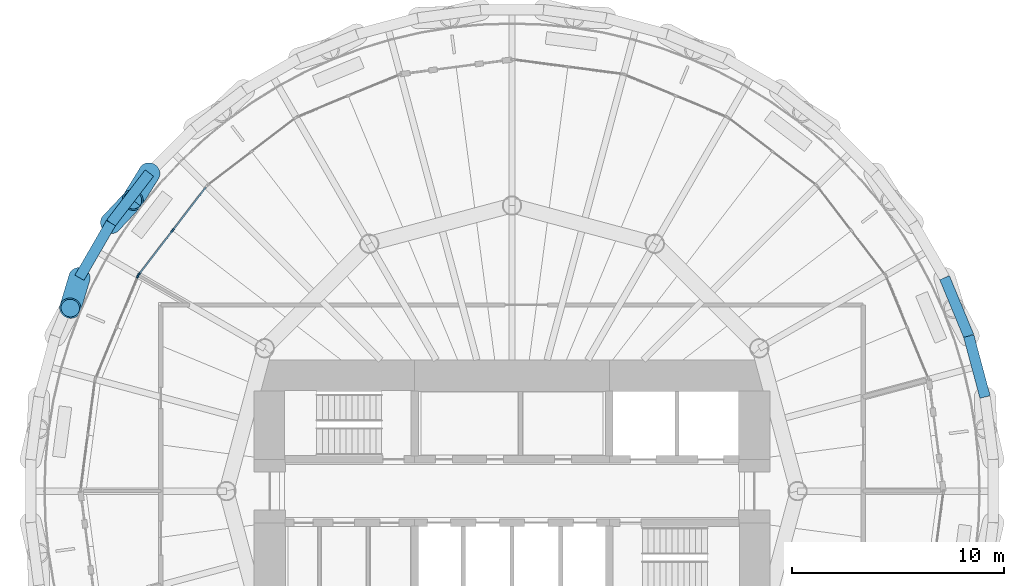
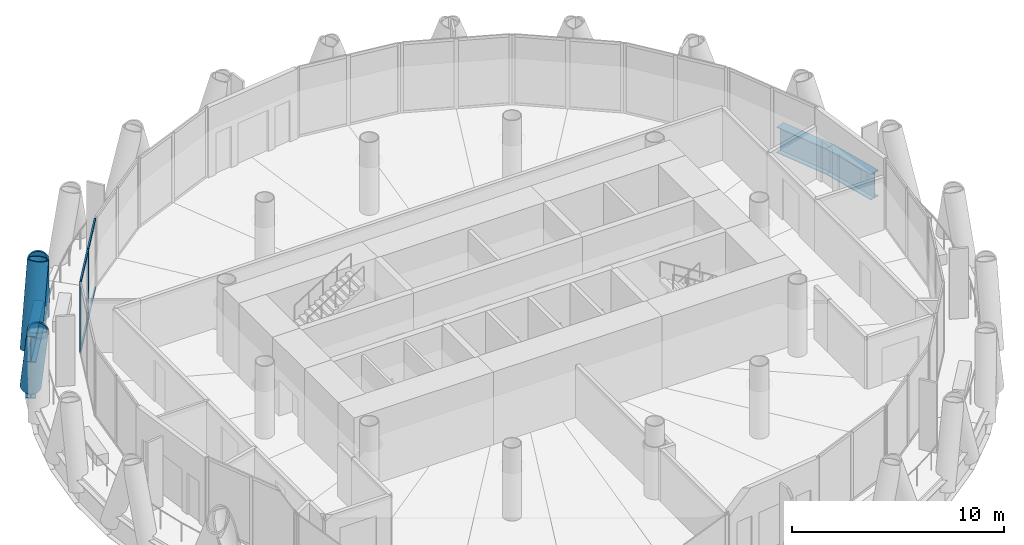
# One storey, part 5 of 14: 10 members, 4 beams, 2 elements without a shape of their own.
"""IFC4 building model written with IfcOpenShell, lengths in metres."""

from ifc_helpers import new_model, si_unit, direction, frame, origin, origin_2d, place, context, subcontext, project, spatial, rectangle, hollow_circle, i_section, extrude, material, material_profile, profile_set, type_object, element, aggregate, save


model = new_model("IFC4")

# Units and contexts
model_context = context("Model", 3, precision=1e-05, world=origin(), true_north=direction((0.0, 1.0)))
body_context = subcontext(model_context, "Body", "Model", "MODEL_VIEW")
ifc_project = project(units=[si_unit("LENGTHUNIT", "METRE"), si_unit("AREAUNIT", "SQUARE_METRE"), si_unit("VOLUMEUNIT", "CUBIC_METRE"), si_unit("PLANEANGLEUNIT", "RADIAN"), si_unit("MASSUNIT", "GRAM", prefix="KILO")], contexts=[model_context])

# Site, building, storey
site_placement = place(None, origin())
site = spatial("IfcSite", under=ifc_project, at=site_placement, CompositionType="ELEMENT")
building_placement = place(site_placement, origin())
building = spatial("IfcBuilding", under=site, at=building_placement, Name="Qaws Media Tower", CompositionType="ELEMENT")
storey_placement = place(building_placement, frame((0.0, 0.0, 215.0)))
storey = spatial("IfcBuildingStorey", under=building, at=storey_placement, Name="L49", CompositionType="ELEMENT", Elevation=215.0)

# Curtain wall, members
ifc_material_1 = material(Name="Aluminium and clear glass", Category="aluminium")
curtain_wall_type = type_object("IfcCurtainWallType", Name="Unitised curtain wall CW-C", PredefinedType="NOTDEFINED", material=ifc_material_1)
curtain_wall_1_placement = place(storey_placement, origin())
curtain_wall_1 = element("IfcCurtainWall", 1, at=curtain_wall_1_placement, inside=storey, type_object=curtain_wall_type, Name="CWC curtain wall L49-10", PredefinedType="NOTDEFINED")
ifc_material_2 = material(Name="Aluminium mullion", Category="aluminium")
ifc_material_profile_1 = material_profile(ifc_material_2, rectangle(XDim=0.080078125, YDim=0.199951171875, at=origin_2d()), Name="80x200")
ifc_profile_set_1 = profile_set([ifc_material_profile_1], Name="Aluminium mullion")
member_type_1 = type_object("IfcMemberType", Name="Curtain wall mullion 80x200", PredefinedType="MULLION", material=ifc_profile_set_1)
member_1_placement = place(storey_placement, frame((43.9541015625, 62.3125, 0.0), z_axis=(0.0, 0.0, 1.0), x_axis=(0.793353307917, -0.608761471199, 0.0)))
member_1 = element("IfcMember", 2, at=member_1_placement, type_object=member_type_1, Name="CWC mullion 2", PredefinedType="MULLION", context=body_context, shape_type="SweptSolid", body=[
    extrude(rectangle(XDim=0.080078125, YDim=0.199951171875, at=origin_2d()), origin(), (0.0, 0.0, 1.0), 4.0400390625),
])
member_2_placement = place(storey_placement, frame((42.357421875, 60.231689453125, 0.0), z_axis=(0.0, 0.0, 1.0), x_axis=(0.793353307917, -0.608761471199, 0.0)))
member_2 = element("IfcMember", 3, at=member_2_placement, type_object=member_type_1, Name="CWC mullion 3", PredefinedType="MULLION", context=body_context, shape_type="SweptSolid", body=[
    extrude(rectangle(XDim=0.080078125, YDim=0.199951171875, at=origin_2d()), origin(), (0.0, 0.0, 1.0), 4.0400390625),
])

# Curtain wall, member
curtain_wall_2_placement = place(storey_placement, origin())
curtain_wall_2 = element("IfcCurtainWall", 4, at=curtain_wall_2_placement, inside=storey, type_object=curtain_wall_type, Name="CWC curtain wall L49-11", PredefinedType="NOTDEFINED")
member_3_placement = place(storey_placement, frame((42.31787109375, 60.1630859375, 0.0), z_axis=(0.0, 0.0, 1.0), x_axis=(0.923879494026, -0.382683525276, 0.0)))
member_3 = element("IfcMember", 5, at=member_3_placement, type_object=member_type_1, Name="CWC mullion 1", PredefinedType="MULLION", context=body_context, shape_type="SweptSolid", body=[
    extrude(rectangle(XDim=0.080078125, YDim=0.199951171875, at=origin_2d()), origin(), (0.0, 0.0, 1.0), 4.0400390625),
])
aggregate(curtain_wall_2, [member_3])

# Member
ifc_material_3 = material(Name="Aluminium transom", Category="aluminium")
ifc_material_profile_2 = material_profile(ifc_material_3, rectangle(XDim=0.080078125, YDim=0.159912109375, at=origin_2d()), Name="80x160")
ifc_profile_set_2 = profile_set([ifc_material_profile_2], Name="Aluminium transom")
member_type_2 = type_object("IfcMemberType", Name="Curtain wall transom 80x160", PredefinedType="USERDEFINED", material=ifc_profile_set_2)
member_4_placement = place(storey_placement, frame((45.5263671875, 64.361572265625, 0.0400390625), z_axis=(-0.608735871547, -0.793372950567, 0.0), x_axis=(0.793372950567, -0.608735871547, 0.0)))
member_4 = element("IfcMember", 6, at=member_4_placement, type_object=member_type_2, Name="CWC transom 1.1", ObjectType="TRANSOM", PredefinedType="USERDEFINED", context=body_context, shape_type="SweptSolid", body=[
    extrude(rectangle(XDim=0.080078125, YDim=0.159912109375, at=origin_2d()), origin(), (0.0, 0.0, 1.0), 2.542724609375),
])

member_5_placement = place(storey_placement, frame((45.5263671875, 64.361572265625, 4.0), z_axis=(-0.608735871547, -0.793372950567, 0.0), x_axis=(0.793372950567, -0.608735871547, 0.0)))
member_5 = element("IfcMember", 7, at=member_5_placement, type_object=member_type_2, Name="CWC transom 1.2", ObjectType="TRANSOM", PredefinedType="USERDEFINED", context=body_context, shape_type="SweptSolid", body=[
    extrude(rectangle(XDim=0.080078125, YDim=0.159912109375, at=origin_2d()), origin(), (0.0, 0.0, 1.0), 2.542724609375),
])

member_6_placement = place(storey_placement, frame((43.9296875, 62.28076171875, 0.0400390625), z_axis=(-0.608735871547, -0.793372950567, 0.0), x_axis=(0.793372950567, -0.608735871547, 0.0)))
member_6 = element("IfcMember", 8, at=member_6_placement, type_object=member_type_2, Name="CWC transom 2.1", ObjectType="TRANSOM", PredefinedType="USERDEFINED", context=body_context, shape_type="SweptSolid", body=[
    extrude(rectangle(XDim=0.080078125, YDim=0.159912109375, at=origin_2d()), origin(), (0.0, 0.0, 1.0), 2.542724609375),
])

member_7_placement = place(storey_placement, frame((43.9296875, 62.28076171875, 4.0), z_axis=(-0.608735871547, -0.793372950567, 0.0), x_axis=(0.793372950567, -0.608735871547, 0.0)))
member_7 = element("IfcMember", 9, at=member_7_placement, type_object=member_type_2, Name="CWC transom 2.2", ObjectType="TRANSOM", PredefinedType="USERDEFINED", context=body_context, shape_type="SweptSolid", body=[
    extrude(rectangle(XDim=0.080078125, YDim=0.159912109375, at=origin_2d()), origin(), (0.0, 0.0, 1.0), 2.542724609375),
])

aggregate(curtain_wall_1, [member_1, member_2, member_4, member_5, member_6, member_7])

# Members
ifc_material_4 = material(Name="Steel S460", Category="steel")
ifc_material_profile_3 = material_profile(ifc_material_4, hollow_circle(Radius=0.508056640625, WallThickness=0.070068359375, at=origin_2d()), Name="CHS 1016x70")
ifc_profile_set_3 = profile_set([ifc_material_profile_3], Name="Steel S460")
member_type_3 = type_object("IfcMemberType", Name="Diagrid member CHS 1016x70", PredefinedType="USERDEFINED", material=ifc_profile_set_3)
for number, where, z_axis, x_axis, name in (
    (10, (42.858154296875, 65.033203125, -0.909912109375), (-0.176669755736, -0.285945501769, 0.941818967438), (0.850723025077, -0.525614245055, 0.0), "DG3 diagrid L49 A10"),
    (11, (39.55126953125, 60.084228515625, -0.909912109375), (-0.096629630188, -0.321916275076, 0.941824095259), (0.957781442004, -0.287497320601, 0.0), "DG3 diagrid L49 A11"),
    (12, (41.04248046875, 62.6669921875, -0.909912109375), (0.230485450042, 0.244664958727, 0.941815011183), (-0.727884328257, 0.685699937785, 0.0), "DG3 diagrid L49 B11"),
):
    element("IfcMember", number, at=place(storey_placement, frame(where, z_axis=z_axis, x_axis=x_axis)), inside=storey, type_object=member_type_3, Name=name, ObjectType="DIAGRID", PredefinedType="USERDEFINED", context=body_context, shape_type="SweptSolid", body=[
        extrude(hollow_circle(Radius=0.508056640625, WallThickness=0.070068359375, at=origin_2d()), origin(), (0.0, 0.0, 1.0), 4.45947265625),
    ])

# Beams
ifc_material_5 = material(Name="Steel S460", Category="steel")
ifc_material_profile_4 = material_profile(ifc_material_5, i_section(OverallWidth=0.5, OverallDepth=1.5, WebThickness=0.02001953125, FlangeThickness=0.0400390625, at=origin_2d()), Name="PG 1500x500")
ifc_profile_set_4 = profile_set([ifc_material_profile_4], Name="Steel S460")
beam_type = type_object("IfcBeamType", Name="Edge ring beam PG 1500x500", PredefinedType="BEAM", material=ifc_profile_set_4)
for number, where, z_axis, x_axis, name in (
    (13, (82.36181640625, 54.447998046875, -0.909912109375), (-0.258757907866, 0.965942205889, 0.0), (-0.965942205889, -0.258757907866, 0.0), "RB4 edge ring beam L49-02"),
    (14, (81.590087890625, 57.328857421875, -0.909912109375), (-0.382696410016, 0.923874156886, 0.0), (-0.923874156886, -0.382696410016, 0.0), "RB4 edge ring beam L49-03"),
):
    element("IfcBeam", number, at=place(storey_placement, frame(where, z_axis=z_axis, x_axis=x_axis)), inside=storey, type_object=beam_type, Name=name, PredefinedType="BEAM", context=body_context, shape_type="SweptSolid", body=[
        extrude(i_section(OverallWidth=0.5, OverallDepth=1.5, WebThickness=0.02001953125, FlangeThickness=0.0400390625, at=origin_2d()), origin(), (0.0, 0.0, 1.0), 2.982421875),
    ])
beam_1_placement = place(storey_placement, frame((42.858154296875, 65.033203125, -0.909912109375), z_axis=(-0.608764872287, -0.793350698159, 0.0), x_axis=(0.793350698159, -0.608764872287, 0.0)))
element("IfcBeam", 15, at=beam_1_placement, inside=storey, type_object=beam_type, Name="RB4 edge ring beam L49-19", PredefinedType="BEAM", context=body_context, shape_type="SweptSolid", body=[
    extrude(i_section(OverallWidth=0.5, OverallDepth=1.5, WebThickness=0.02001953125, FlangeThickness=0.0400390625, at=origin_2d()), origin(), (0.0, 0.0, 1.0), 2.982666015625),
])
beam_2_placement = place(storey_placement, frame((41.04248046875, 62.6669921875, -0.909912109375), z_axis=(-0.500012985438, -0.866017906508, 0.0), x_axis=(0.866017906508, -0.500012985438, 0.0)))
element("IfcBeam", 16, at=beam_2_placement, inside=storey, type_object=beam_type, Name="RB4 edge ring beam L49-20", PredefinedType="BEAM", context=body_context, shape_type="SweptSolid", body=[
    extrude(i_section(OverallWidth=0.5, OverallDepth=1.5, WebThickness=0.02001953125, FlangeThickness=0.0400390625, at=origin_2d()), origin(), (0.0, 0.0, 1.0), 2.982421875),
])

save(model, "model.ifc")
